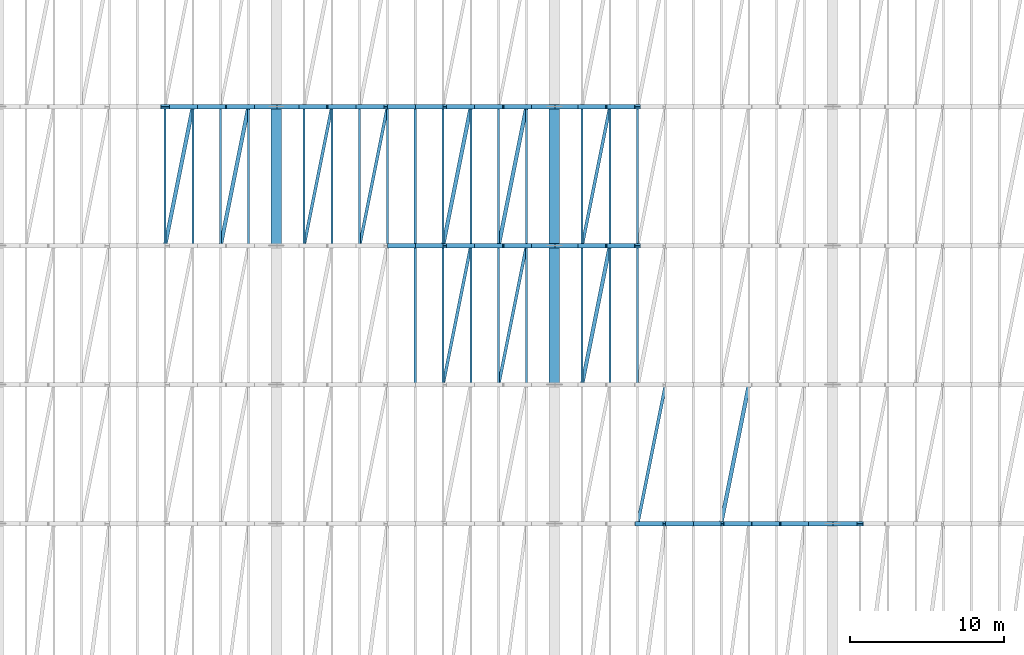
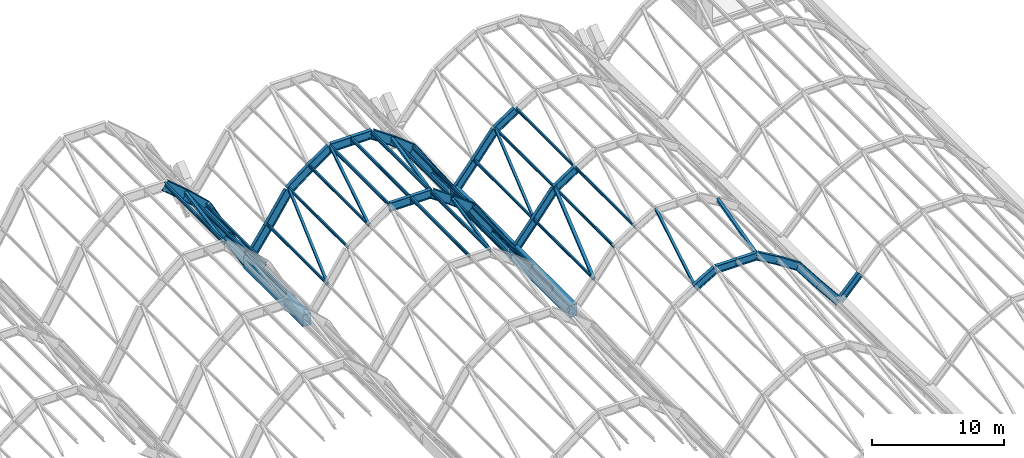
# One storey, part 24 of 86: 37 beams, 36 members.
"""IFC4 building model written with IfcOpenShell, lengths in metres."""

from ifc_helpers import new_model, si_unit, direction, frame, origin, origin_2d, place, context, subcontext, project, spatial, rectangle, i_section, extrude, material, material_profile, profile_set, type_object, element, save


model = new_model("IFC4")

# Units and contexts
model_context = context("Model", 3, precision=1e-05, world=origin(), true_north=direction((0.0, 1.0)))
body_context = subcontext(model_context, "Body", "Model", "MODEL_VIEW")
ifc_project = project(units=[si_unit("LENGTHUNIT", "METRE"), si_unit("AREAUNIT", "SQUARE_METRE"), si_unit("VOLUMEUNIT", "CUBIC_METRE"), si_unit("PLANEANGLEUNIT", "RADIAN"), si_unit("MASSUNIT", "GRAM", prefix="KILO")], contexts=[model_context])

# Site, building, storey
site_placement = place(None, origin())
site = spatial("IfcSite", under=ifc_project, at=site_placement, CompositionType="ELEMENT")
building_placement = place(site_placement, origin())
building = spatial("IfcBuilding", under=site, at=building_placement, Name="Chuanluo Vaults Station", CompositionType="ELEMENT")
storey_placement = place(building_placement, frame((0.0, 0.0, 14.39990234375)))
storey = spatial("IfcBuildingStorey", under=building, at=storey_placement, Name="L03", CompositionType="ELEMENT", Elevation=14.39990234375)

# Beams
ifc_material_1 = material(Name="Concrete C50", Category="concrete")
ifc_material_profile_1 = material_profile(ifc_material_1, rectangle(XDim=0.699951171875, YDim=1.10009765625, at=origin_2d()))
ifc_profile_set_1 = profile_set([ifc_material_profile_1], Name="Concrete C50")
beam_type_1 = type_object("IfcBeamType", Name="BM-VAL-RC", PredefinedType="USERDEFINED", material=ifc_profile_set_1)
for number, where, z_axis, x_axis, name in (
    (1, (72.0, 85.5, -0.7998046875), (0.0, 1.0, 0.0), (-1.0, 0.0, 0.0), "Vault springing valley beam X72-7"),
    (2, (90.0, 76.5, -0.7998046875), (0.0, 1.0, 0.0), (-1.0, 0.0, 0.0), "Vault springing valley beam X90-6"),
    (3, (90.0, 85.5, -0.7998046875), (0.0, 1.0, 0.0), (-1.0, 0.0, 0.0), "Vault springing valley beam X90-7"),
):
    element("IfcBeam", number, at=place(storey_placement, frame(where, z_axis=z_axis, x_axis=x_axis)), inside=storey, type_object=beam_type_1, Name=name, ObjectType="GIRDER", PredefinedType="USERDEFINED", context=body_context, shape_type="SweptSolid", body=[
        extrude(rectangle(XDim=0.699951171875, YDim=1.10009765625, at=origin_2d()), origin(), (0.0, 0.0, 1.0), 9.0),
    ])
ifc_material_2 = material(Name="Steel Q355C", Category="steel")
ifc_material_profile_2 = material_profile(ifc_material_2, i_section(OverallWidth=0.300048828125, OverallDepth=0.587890625, WebThickness=0.011962890625, FlangeThickness=0.02001953125, FilletRadius=0.02392578125, at=origin_2d()))
ifc_profile_set_2 = profile_set([ifc_material_profile_2], Name="Steel Q355C")
beam_type_2 = type_object("IfcBeamType", Name="BM-VLT-600", PredefinedType="USERDEFINED", material=ifc_profile_set_2)
beam_1_placement = place(storey_placement, frame((108.0, 67.5, -0.743896484375), z_axis=(0.684521510403, 0.0, 0.728992662374), x_axis=(0.0, 1.0, 0.0)))
element("IfcBeam", 4, at=beam_1_placement, inside=storey, type_object=beam_type_2, Name="Vault V7 arch rib 5 chord 1", ObjectType="GIRDER", PredefinedType="USERDEFINED", context=body_context, shape_type="SweptSolid", body=[
    extrude(i_section(OverallWidth=0.300048828125, OverallDepth=0.587890625, WebThickness=0.011962890625, FlangeThickness=0.02001953125, FilletRadius=0.02392578125, at=origin_2d()), origin(), (0.0, 0.0, 1.0), 2.629638671875),
])
ifc_material_3 = material(Name="Steel Q355C", Category="steel")
ifc_material_profile_3 = material_profile(ifc_material_3, i_section(OverallWidth=0.300048828125, OverallDepth=0.699951171875, WebThickness=0.012939453125, FlangeThickness=0.02392578125, FilletRadius=0.02392578125, at=origin_2d()))
ifc_profile_set_3 = profile_set([ifc_material_profile_3], Name="Steel Q355C")
beam_type_3 = type_object("IfcBeamType", Name="BM-VLT-700", PredefinedType="USERDEFINED", material=ifc_profile_set_3)
beam_2_placement = place(storey_placement, frame((95.39990234375, 67.5, 4.92626953125), z_axis=(0.863009490662, 0.0, 0.505187706727), x_axis=(0.0, 1.0, 0.0)))
element("IfcBeam", 5, at=beam_2_placement, inside=storey, type_object=beam_type_3, Name="Vault V6 arch rib 5 chord 4", ObjectType="GIRDER", PredefinedType="USERDEFINED", context=body_context, shape_type="SweptSolid", body=[
    extrude(i_section(OverallWidth=0.300048828125, OverallDepth=0.699951171875, WebThickness=0.012939453125, FlangeThickness=0.02392578125, FilletRadius=0.02392578125, at=origin_2d()), origin(), (0.0, 0.0, 1.0), 2.085693359375),
])
for number, where, z_axis, x_axis, name in (
    (6, (97.199951171875, 67.5, 5.97998046875), (1.0, 0.0, 0.0), (0.0, 1.0, 0.0), "Vault V6 arch rib 5 chord 5"),
    (7, (99.0, 67.5, 5.97998046875), (1.0, 0.0, 0.0), (0.0, 1.0, 0.0), "Vault V6 arch rib 5 chord 6"),
):
    element("IfcBeam", number, at=place(storey_placement, frame(where, z_axis=z_axis, x_axis=x_axis)), inside=storey, type_object=beam_type_3, Name=name, ObjectType="GIRDER", PredefinedType="USERDEFINED", context=body_context, shape_type="SweptSolid", body=[
        extrude(i_section(OverallWidth=0.300048828125, OverallDepth=0.699951171875, WebThickness=0.012939453125, FlangeThickness=0.02392578125, FilletRadius=0.02392578125, at=origin_2d()), origin(), (0.0, 0.0, 1.0), 1.800048828125),
    ])
beam_3_placement = place(storey_placement, frame((100.800048828125, 67.5, 5.97998046875), z_axis=(0.863009490662, 0.0, -0.505187706727), x_axis=(0.0, 1.0, 0.0)))
element("IfcBeam", 8, at=beam_3_placement, inside=storey, type_object=beam_type_3, Name="Vault V6 arch rib 5 chord 7", ObjectType="GIRDER", PredefinedType="USERDEFINED", context=body_context, shape_type="SweptSolid", body=[
    extrude(i_section(OverallWidth=0.300048828125, OverallDepth=0.699951171875, WebThickness=0.012939453125, FlangeThickness=0.02392578125, FilletRadius=0.02392578125, at=origin_2d()), origin(), (0.0, 0.0, 1.0), 2.085693359375),
])
beam_4_placement = place(storey_placement, frame((102.60009765625, 67.5, 4.92626953125), z_axis=(0.836145448105, 0.0, -0.54850778446), x_axis=(0.0, 1.0, 0.0)))
element("IfcBeam", 9, at=beam_4_placement, inside=storey, type_object=beam_type_3, Name="Vault V6 arch rib 5 chord 8", ObjectType="GIRDER", PredefinedType="USERDEFINED", context=body_context, shape_type="SweptSolid", body=[
    extrude(i_section(OverallWidth=0.300048828125, OverallDepth=0.699951171875, WebThickness=0.012939453125, FlangeThickness=0.02392578125, FilletRadius=0.02392578125, at=origin_2d()), origin(), (0.0, 0.0, 1.0), 2.152587890625),
])
beam_5_placement = place(storey_placement, frame((104.39990234375, 67.5, 3.74560546875), z_axis=(0.613681275736, 0.0, -0.789553856182), x_axis=(0.0, 1.0, 0.0)))
element("IfcBeam", 10, at=beam_5_placement, inside=storey, type_object=beam_type_3, Name="Vault V6 arch rib 5 chord 9", ObjectType="GIRDER", PredefinedType="USERDEFINED", context=body_context, shape_type="SweptSolid", body=[
    extrude(i_section(OverallWidth=0.300048828125, OverallDepth=0.699951171875, WebThickness=0.012939453125, FlangeThickness=0.02392578125, FilletRadius=0.02392578125, at=origin_2d()), origin(), (0.0, 0.0, 1.0), 2.93310546875),
])
for number, where, z_axis, x_axis, name in (
    (11, (106.199951171875, 67.5, 1.4296875), (0.628190338877, 0.0, -0.778059700885), (0.0, 1.0, 0.0), "Vault V6 arch rib 5 chord 10"),
    (12, (90.0, 85.5, -0.7998046875), (0.628190338877, 0.0, 0.778059700885), (0.0, 1.0, 0.0), "Vault V6 arch rib 7 chord 1"),
):
    element("IfcBeam", number, at=place(storey_placement, frame(where, z_axis=z_axis, x_axis=x_axis)), inside=storey, type_object=beam_type_3, Name=name, ObjectType="GIRDER", PredefinedType="USERDEFINED", context=body_context, shape_type="SweptSolid", body=[
        extrude(i_section(OverallWidth=0.300048828125, OverallDepth=0.699951171875, WebThickness=0.012939453125, FlangeThickness=0.02392578125, FilletRadius=0.02392578125, at=origin_2d()), origin(), (0.0, 0.0, 1.0), 2.865478515625),
    ])
beam_6_placement = place(storey_placement, frame((91.800048828125, 85.5, 1.4296875), z_axis=(0.613681275736, 0.0, 0.789553856182), x_axis=(0.0, 1.0, 0.0)))
element("IfcBeam", 13, at=beam_6_placement, inside=storey, type_object=beam_type_3, Name="Vault V6 arch rib 7 chord 2", ObjectType="GIRDER", PredefinedType="USERDEFINED", context=body_context, shape_type="SweptSolid", body=[
    extrude(i_section(OverallWidth=0.300048828125, OverallDepth=0.699951171875, WebThickness=0.012939453125, FlangeThickness=0.02392578125, FilletRadius=0.02392578125, at=origin_2d()), origin(), (0.0, 0.0, 1.0), 2.93310546875),
])
beam_7_placement = place(storey_placement, frame((93.60009765625, 85.5, 3.74560546875), z_axis=(0.836145448105, 0.0, 0.54850778446), x_axis=(0.0, 1.0, 0.0)))
element("IfcBeam", 14, at=beam_7_placement, inside=storey, type_object=beam_type_3, Name="Vault V6 arch rib 7 chord 3", ObjectType="GIRDER", PredefinedType="USERDEFINED", context=body_context, shape_type="SweptSolid", body=[
    extrude(i_section(OverallWidth=0.300048828125, OverallDepth=0.699951171875, WebThickness=0.012939453125, FlangeThickness=0.02392578125, FilletRadius=0.02392578125, at=origin_2d()), origin(), (0.0, 0.0, 1.0), 2.152587890625),
])
beam_8_placement = place(storey_placement, frame((90.0, 94.5, -0.7998046875), z_axis=(0.628190338877, 0.0, 0.778059700885), x_axis=(0.0, 1.0, 0.0)))
element("IfcBeam", 15, at=beam_8_placement, inside=storey, type_object=beam_type_3, Name="Vault V6 arch rib 8 chord 1", ObjectType="GIRDER", PredefinedType="USERDEFINED", context=body_context, shape_type="SweptSolid", body=[
    extrude(i_section(OverallWidth=0.300048828125, OverallDepth=0.699951171875, WebThickness=0.012939453125, FlangeThickness=0.02392578125, FilletRadius=0.02392578125, at=origin_2d()), origin(), (0.0, 0.0, 1.0), 2.865478515625),
])
beam_9_placement = place(storey_placement, frame((91.800048828125, 94.5, 1.4296875), z_axis=(0.613681275736, 0.0, 0.789553856182), x_axis=(0.0, 1.0, 0.0)))
element("IfcBeam", 16, at=beam_9_placement, inside=storey, type_object=beam_type_3, Name="Vault V6 arch rib 8 chord 2", ObjectType="GIRDER", PredefinedType="USERDEFINED", context=body_context, shape_type="SweptSolid", body=[
    extrude(i_section(OverallWidth=0.300048828125, OverallDepth=0.699951171875, WebThickness=0.012939453125, FlangeThickness=0.02392578125, FilletRadius=0.02392578125, at=origin_2d()), origin(), (0.0, 0.0, 1.0), 2.93310546875),
])
beam_10_placement = place(storey_placement, frame((93.60009765625, 94.5, 3.74560546875), z_axis=(0.836145448105, 0.0, 0.54850778446), x_axis=(0.0, 1.0, 0.0)))
element("IfcBeam", 17, at=beam_10_placement, inside=storey, type_object=beam_type_3, Name="Vault V6 arch rib 8 chord 3", ObjectType="GIRDER", PredefinedType="USERDEFINED", context=body_context, shape_type="SweptSolid", body=[
    extrude(i_section(OverallWidth=0.300048828125, OverallDepth=0.699951171875, WebThickness=0.012939453125, FlangeThickness=0.02392578125, FilletRadius=0.02392578125, at=origin_2d()), origin(), (0.0, 0.0, 1.0), 2.152587890625),
])
ifc_material_4 = material(Name="Steel Q355C", Category="steel")
ifc_material_profile_4 = material_profile(ifc_material_4, i_section(OverallWidth=0.300048828125, OverallDepth=0.800048828125, WebThickness=0.013916015625, FlangeThickness=0.02587890625, FilletRadius=0.02392578125, at=origin_2d()))
ifc_profile_set_4 = profile_set([ifc_material_profile_4], Name="Steel Q355C")
beam_type_4 = type_object("IfcBeamType", Name="BM-VLT-800", PredefinedType="USERDEFINED", material=ifc_profile_set_4)
for number, where, z_axis, x_axis, name in (
    (18, (79.199951171875, 85.5, 7.130126953125), (1.0, 0.0, 0.0), (0.0, 1.0, 0.0), "Vault V5 arch rib 7 chord 5"),
    (19, (81.0, 85.5, 7.130126953125), (1.0, 0.0, 0.0), (0.0, 1.0, 0.0), "Vault V5 arch rib 7 chord 6"),
):
    element("IfcBeam", number, at=place(storey_placement, frame(where, z_axis=z_axis, x_axis=x_axis)), inside=storey, type_object=beam_type_4, Name=name, ObjectType="GIRDER", PredefinedType="USERDEFINED", context=body_context, shape_type="SweptSolid", body=[
        extrude(i_section(OverallWidth=0.300048828125, OverallDepth=0.800048828125, WebThickness=0.013916015625, FlangeThickness=0.02587890625, FilletRadius=0.02392578125, at=origin_2d()), origin(), (0.0, 0.0, 1.0), 1.800048828125),
    ])
beam_11_placement = place(storey_placement, frame((82.800048828125, 85.5, 7.130126953125), z_axis=(0.820907471123, 0.0, -0.571061226012), x_axis=(0.0, 1.0, 0.0)))
element("IfcBeam", 20, at=beam_11_placement, inside=storey, type_object=beam_type_4, Name="Vault V5 arch rib 7 chord 7", ObjectType="GIRDER", PredefinedType="USERDEFINED", context=body_context, shape_type="SweptSolid", body=[
    extrude(i_section(OverallWidth=0.300048828125, OverallDepth=0.800048828125, WebThickness=0.013916015625, FlangeThickness=0.02587890625, FilletRadius=0.02392578125, at=origin_2d()), origin(), (0.0, 0.0, 1.0), 2.19287109375),
])
beam_12_placement = place(storey_placement, frame((84.60009765625, 85.5, 5.8779296875), z_axis=(0.790274889356, 0.0, -0.612752477965), x_axis=(0.0, 1.0, 0.0)))
element("IfcBeam", 21, at=beam_12_placement, inside=storey, type_object=beam_type_4, Name="Vault V5 arch rib 7 chord 8", ObjectType="GIRDER", PredefinedType="USERDEFINED", context=body_context, shape_type="SweptSolid", body=[
    extrude(i_section(OverallWidth=0.300048828125, OverallDepth=0.800048828125, WebThickness=0.013916015625, FlangeThickness=0.02587890625, FilletRadius=0.02392578125, at=origin_2d()), origin(), (0.0, 0.0, 1.0), 2.27734375),
])
beam_13_placement = place(storey_placement, frame((86.39990234375, 85.5, 4.482421875), z_axis=(0.550471867992, 0.0, -0.834853713263), x_axis=(0.0, 1.0, 0.0)))
element("IfcBeam", 22, at=beam_13_placement, inside=storey, type_object=beam_type_4, Name="Vault V5 arch rib 7 chord 9", ObjectType="GIRDER", PredefinedType="USERDEFINED", context=body_context, shape_type="SweptSolid", body=[
    extrude(i_section(OverallWidth=0.300048828125, OverallDepth=0.800048828125, WebThickness=0.013916015625, FlangeThickness=0.02587890625, FilletRadius=0.02392578125, at=origin_2d()), origin(), (0.0, 0.0, 1.0), 3.27001953125),
])
for number, where, z_axis, x_axis, name in (
    (23, (88.199951171875, 85.5, 1.75244140625), (0.568880934439, 0.0, -0.822419894234), (0.0, 1.0, 0.0), "Vault V5 arch rib 7 chord 10"),
    (24, (72.0, 94.5, -0.849853515625), (0.568880934439, 0.0, 0.822419894234), (0.0, 1.0, 0.0), "Vault V5 arch rib 8 chord 1"),
):
    element("IfcBeam", number, at=place(storey_placement, frame(where, z_axis=z_axis, x_axis=x_axis)), inside=storey, type_object=beam_type_4, Name=name, ObjectType="GIRDER", PredefinedType="USERDEFINED", context=body_context, shape_type="SweptSolid", body=[
        extrude(i_section(OverallWidth=0.300048828125, OverallDepth=0.800048828125, WebThickness=0.013916015625, FlangeThickness=0.02587890625, FilletRadius=0.02392578125, at=origin_2d()), origin(), (0.0, 0.0, 1.0), 3.164306640625),
    ])
beam_14_placement = place(storey_placement, frame((73.800048828125, 94.5, 1.75244140625), z_axis=(0.550471867992, 0.0, 0.834853713263), x_axis=(0.0, 1.0, 0.0)))
element("IfcBeam", 25, at=beam_14_placement, inside=storey, type_object=beam_type_4, Name="Vault V5 arch rib 8 chord 2", ObjectType="GIRDER", PredefinedType="USERDEFINED", context=body_context, shape_type="SweptSolid", body=[
    extrude(i_section(OverallWidth=0.300048828125, OverallDepth=0.800048828125, WebThickness=0.013916015625, FlangeThickness=0.02587890625, FilletRadius=0.02392578125, at=origin_2d()), origin(), (0.0, 0.0, 1.0), 3.27001953125),
])
beam_15_placement = place(storey_placement, frame((75.60009765625, 94.5, 4.482421875), z_axis=(0.790274889356, 0.0, 0.612752477965), x_axis=(0.0, 1.0, 0.0)))
element("IfcBeam", 26, at=beam_15_placement, inside=storey, type_object=beam_type_4, Name="Vault V5 arch rib 8 chord 3", ObjectType="GIRDER", PredefinedType="USERDEFINED", context=body_context, shape_type="SweptSolid", body=[
    extrude(i_section(OverallWidth=0.300048828125, OverallDepth=0.800048828125, WebThickness=0.013916015625, FlangeThickness=0.02587890625, FilletRadius=0.02392578125, at=origin_2d()), origin(), (0.0, 0.0, 1.0), 2.27734375),
])
beam_16_placement = place(storey_placement, frame((77.39990234375, 94.5, 5.8779296875), z_axis=(0.820907471123, 0.0, 0.571061226012), x_axis=(0.0, 1.0, 0.0)))
element("IfcBeam", 27, at=beam_16_placement, inside=storey, type_object=beam_type_4, Name="Vault V5 arch rib 8 chord 4", ObjectType="GIRDER", PredefinedType="USERDEFINED", context=body_context, shape_type="SweptSolid", body=[
    extrude(i_section(OverallWidth=0.300048828125, OverallDepth=0.800048828125, WebThickness=0.013916015625, FlangeThickness=0.02587890625, FilletRadius=0.02392578125, at=origin_2d()), origin(), (0.0, 0.0, 1.0), 2.19287109375),
])
for number, where, z_axis, x_axis, name in (
    (28, (79.199951171875, 94.5, 7.130126953125), (1.0, 0.0, 0.0), (0.0, 1.0, 0.0), "Vault V5 arch rib 8 chord 5"),
    (29, (81.0, 94.5, 7.130126953125), (1.0, 0.0, 0.0), (0.0, 1.0, 0.0), "Vault V5 arch rib 8 chord 6"),
):
    element("IfcBeam", number, at=place(storey_placement, frame(where, z_axis=z_axis, x_axis=x_axis)), inside=storey, type_object=beam_type_4, Name=name, ObjectType="GIRDER", PredefinedType="USERDEFINED", context=body_context, shape_type="SweptSolid", body=[
        extrude(i_section(OverallWidth=0.300048828125, OverallDepth=0.800048828125, WebThickness=0.013916015625, FlangeThickness=0.02587890625, FilletRadius=0.02392578125, at=origin_2d()), origin(), (0.0, 0.0, 1.0), 1.800048828125),
    ])
beam_17_placement = place(storey_placement, frame((82.800048828125, 94.5, 7.130126953125), z_axis=(0.820907471123, 0.0, -0.571061226012), x_axis=(0.0, 1.0, 0.0)))
element("IfcBeam", 30, at=beam_17_placement, inside=storey, type_object=beam_type_4, Name="Vault V5 arch rib 8 chord 7", ObjectType="GIRDER", PredefinedType="USERDEFINED", context=body_context, shape_type="SweptSolid", body=[
    extrude(i_section(OverallWidth=0.300048828125, OverallDepth=0.800048828125, WebThickness=0.013916015625, FlangeThickness=0.02587890625, FilletRadius=0.02392578125, at=origin_2d()), origin(), (0.0, 0.0, 1.0), 2.19287109375),
])
beam_18_placement = place(storey_placement, frame((84.60009765625, 94.5, 5.8779296875), z_axis=(0.790274889356, 0.0, -0.612752477965), x_axis=(0.0, 1.0, 0.0)))
element("IfcBeam", 31, at=beam_18_placement, inside=storey, type_object=beam_type_4, Name="Vault V5 arch rib 8 chord 8", ObjectType="GIRDER", PredefinedType="USERDEFINED", context=body_context, shape_type="SweptSolid", body=[
    extrude(i_section(OverallWidth=0.300048828125, OverallDepth=0.800048828125, WebThickness=0.013916015625, FlangeThickness=0.02587890625, FilletRadius=0.02392578125, at=origin_2d()), origin(), (0.0, 0.0, 1.0), 2.27734375),
])
beam_19_placement = place(storey_placement, frame((86.39990234375, 94.5, 4.482421875), z_axis=(0.550471867992, 0.0, -0.834853713263), x_axis=(0.0, 1.0, 0.0)))
element("IfcBeam", 32, at=beam_19_placement, inside=storey, type_object=beam_type_4, Name="Vault V5 arch rib 8 chord 9", ObjectType="GIRDER", PredefinedType="USERDEFINED", context=body_context, shape_type="SweptSolid", body=[
    extrude(i_section(OverallWidth=0.300048828125, OverallDepth=0.800048828125, WebThickness=0.013916015625, FlangeThickness=0.02587890625, FilletRadius=0.02392578125, at=origin_2d()), origin(), (0.0, 0.0, 1.0), 3.27001953125),
])
beam_20_placement = place(storey_placement, frame((88.199951171875, 94.5, 1.75244140625), z_axis=(0.568880934439, 0.0, -0.822419894234), x_axis=(0.0, 1.0, 0.0)))
element("IfcBeam", 33, at=beam_20_placement, inside=storey, type_object=beam_type_4, Name="Vault V5 arch rib 8 chord 10", ObjectType="GIRDER", PredefinedType="USERDEFINED", context=body_context, shape_type="SweptSolid", body=[
    extrude(i_section(OverallWidth=0.300048828125, OverallDepth=0.800048828125, WebThickness=0.013916015625, FlangeThickness=0.02587890625, FilletRadius=0.02392578125, at=origin_2d()), origin(), (0.0, 0.0, 1.0), 3.164306640625),
])
ifc_material_5 = material(Name="Steel Q355C", Category="steel")
ifc_material_profile_5 = material_profile(ifc_material_5, i_section(OverallWidth=0.300048828125, OverallDepth=0.89990234375, WebThickness=0.01611328125, FlangeThickness=0.028076171875, FilletRadius=0.02392578125, at=origin_2d()))
ifc_profile_set_5 = profile_set([ifc_material_profile_5], Name="Steel Q355C")
beam_type_5 = type_object("IfcBeamType", Name="BM-VLT-900", PredefinedType="USERDEFINED", material=ifc_profile_set_5)
beam_21_placement = place(storey_placement, frame((64.800048828125, 94.5, 8.68017578125), z_axis=(0.76434097912, 0.0, -0.644812273176), x_axis=(0.0, 1.0, 0.0)))
element("IfcBeam", 34, at=beam_21_placement, inside=storey, type_object=beam_type_5, Name="Vault V4 arch rib 8 chord 7", ObjectType="GIRDER", PredefinedType="USERDEFINED", context=body_context, shape_type="SweptSolid", body=[
    extrude(i_section(OverallWidth=0.300048828125, OverallDepth=0.89990234375, WebThickness=0.01611328125, FlangeThickness=0.028076171875, FilletRadius=0.02392578125, at=origin_2d()), origin(), (0.0, 0.0, 1.0), 2.35498046875),
])
beam_22_placement = place(storey_placement, frame((66.60009765625, 94.5, 7.16162109375), z_axis=(0.730389392317, 0.0, -0.683030991676), x_axis=(0.0, 1.0, 0.0)))
element("IfcBeam", 35, at=beam_22_placement, inside=storey, type_object=beam_type_5, Name="Vault V4 arch rib 8 chord 8", ObjectType="GIRDER", PredefinedType="USERDEFINED", context=body_context, shape_type="SweptSolid", body=[
    extrude(i_section(OverallWidth=0.300048828125, OverallDepth=0.89990234375, WebThickness=0.01611328125, FlangeThickness=0.028076171875, FilletRadius=0.02392578125, at=origin_2d()), origin(), (0.0, 0.0, 1.0), 2.464111328125),
])
beam_23_placement = place(storey_placement, frame((68.39990234375, 94.5, 5.478515625), z_axis=(0.480856872349, 0.0, -0.876799103738), x_axis=(0.0, 1.0, 0.0)))
element("IfcBeam", 36, at=beam_23_placement, inside=storey, type_object=beam_type_5, Name="Vault V4 arch rib 8 chord 9", ObjectType="GIRDER", PredefinedType="USERDEFINED", context=body_context, shape_type="SweptSolid", body=[
    extrude(i_section(OverallWidth=0.300048828125, OverallDepth=0.89990234375, WebThickness=0.01611328125, FlangeThickness=0.028076171875, FilletRadius=0.02392578125, at=origin_2d()), origin(), (0.0, 0.0, 1.0), 3.743408203125),
])
beam_24_placement = place(storey_placement, frame((70.199951171875, 94.5, 2.1962890625), z_axis=(0.502607424266, 0.0, -0.864514763941), x_axis=(0.0, 1.0, 0.0)))
element("IfcBeam", 37, at=beam_24_placement, inside=storey, type_object=beam_type_5, Name="Vault V4 arch rib 8 chord 10", ObjectType="GIRDER", PredefinedType="USERDEFINED", context=body_context, shape_type="SweptSolid", body=[
    extrude(i_section(OverallWidth=0.300048828125, OverallDepth=0.89990234375, WebThickness=0.01611328125, FlangeThickness=0.028076171875, FilletRadius=0.02392578125, at=origin_2d()), origin(), (0.0, 0.0, 1.0), 3.58154296875),
])

# Members
ifc_material_6 = material(Name="Steel Q355C", Category="steel")
ifc_material_profile_6 = material_profile(ifc_material_6, i_section(OverallWidth=0.125, OverallDepth=0.25, WebThickness=0.006103515625, FlangeThickness=0.009033203125, FilletRadius=0.011962890625, at=origin_2d()))
ifc_profile_set_6 = profile_set([ifc_material_profile_6], Name="Steel Q355C")
member_type_1 = type_object("IfcMemberType", Name="MEM-PUR-250", PredefinedType="PURLIN", material=ifc_profile_set_6)
for number, where, z_axis, x_axis, name in (
    (38, (66.60009765625, 85.5, 7.38720703125), (0.0, 1.0, 0.0), (-1.0, 0.0, 0.0), "Vault V4 purlin 7.7"),
    (39, (68.39990234375, 85.5, 5.642578125), (0.0, 1.0, 0.0), (-1.0, 0.0, 0.0), "Vault V4 purlin 7.8"),
    (40, (70.199951171875, 85.5, 2.3427734375), (0.0, 1.0, 0.0), (-1.0, 0.0, 0.0), "Vault V4 purlin 7.9"),
    (41, (84.60009765625, 76.5, 6.062744140625), (0.0, 1.0, 0.0), (-1.0, 0.0, 0.0), "Vault V5 purlin 6.7"),
    (42, (86.39990234375, 76.5, 4.619384765625), (0.0, 1.0, 0.0), (-1.0, 0.0, 0.0), "Vault V5 purlin 6.8"),
    (43, (88.199951171875, 76.5, 1.86962890625), (0.0, 1.0, 0.0), (-1.0, 0.0, 0.0), "Vault V5 purlin 6.9"),
    (44, (73.800048828125, 85.5, 1.86962890625), (0.0, 1.0, 0.0), (-1.0, 0.0, 0.0), "Vault V5 purlin 7.1"),
    (45, (75.60009765625, 85.5, 4.619384765625), (0.0, 1.0, 0.0), (-1.0, 0.0, 0.0), "Vault V5 purlin 7.2"),
    (46, (77.39990234375, 85.5, 6.062744140625), (0.0, 1.0, 0.0), (-1.0, 0.0, 0.0), "Vault V5 purlin 7.3"),
    (47, (84.60009765625, 85.5, 6.062744140625), (0.0, 1.0, 0.0), (-1.0, 0.0, 0.0), "Vault V5 purlin 7.7"),
    (48, (86.39990234375, 85.5, 4.619384765625), (0.0, 1.0, 0.0), (-1.0, 0.0, 0.0), "Vault V5 purlin 7.8"),
    (49, (88.199951171875, 85.5, 1.86962890625), (0.0, 1.0, 0.0), (-1.0, 0.0, 0.0), "Vault V5 purlin 7.9"),
    (50, (91.800048828125, 76.5, 1.5126953125), (0.0, 1.0, 0.0), (-1.0, 0.0, 0.0), "Vault V6 purlin 6.1"),
    (51, (93.60009765625, 76.5, 3.849853515625), (0.0, 1.0, 0.0), (-1.0, 0.0, 0.0), "Vault V6 purlin 6.2"),
    (52, (95.39990234375, 76.5, 5.068115234375), (0.0, 1.0, 0.0), (-1.0, 0.0, 0.0), "Vault V6 purlin 6.3"),
    (53, (91.800048828125, 85.5, 1.5126953125), (0.0, 1.0, 0.0), (-1.0, 0.0, 0.0), "Vault V6 purlin 7.1"),
    (54, (93.60009765625, 85.5, 3.849853515625), (0.0, 1.0, 0.0), (-1.0, 0.0, 0.0), "Vault V6 purlin 7.2"),
    (55, (95.39990234375, 85.5, 5.068115234375), (0.0, 1.0, 0.0), (-1.0, 0.0, 0.0), "Vault V6 purlin 7.3"),
):
    element("IfcMember", number, at=place(storey_placement, frame(where, z_axis=z_axis, x_axis=x_axis)), inside=storey, type_object=member_type_1, Name=name, PredefinedType="PURLIN", context=body_context, shape_type="SweptSolid", body=[
        extrude(i_section(OverallWidth=0.125, OverallDepth=0.25, WebThickness=0.006103515625, FlangeThickness=0.009033203125, FilletRadius=0.011962890625, at=origin_2d()), origin(), (0.0, 0.0, 1.0), 9.0),
    ])
ifc_material_7 = material(Name="Steel Q355C", Category="steel")
ifc_material_profile_7 = material_profile(ifc_material_7, i_section(OverallWidth=0.14990234375, OverallDepth=0.300048828125, WebThickness=0.006591796875, FlangeThickness=0.009033203125, FilletRadius=0.012939453125, at=origin_2d()))
ifc_profile_set_7 = profile_set([ifc_material_profile_7], Name="Steel Q355C")
member_type_2 = type_object("IfcMemberType", Name="MEM-PUR-300", PredefinedType="PURLIN", material=ifc_profile_set_7)
for number, where, z_axis, x_axis, name in (
    (56, (64.800048828125, 85.5, 8.834228515625), (0.0, 1.0, 0.0), (-1.0, 0.0, 0.0), "Vault V4 purlin 7.6"),
    (57, (81.0, 76.5, 7.3720703125), (0.0, 1.0, 0.0), (-1.0, 0.0, 0.0), "Vault V5 purlin 6.5"),
    (58, (82.800048828125, 76.5, 7.264404296875), (0.0, 1.0, 0.0), (-1.0, 0.0, 0.0), "Vault V5 purlin 6.6"),
    (59, (79.199951171875, 85.5, 7.264404296875), (0.0, 1.0, 0.0), (-1.0, 0.0, 0.0), "Vault V5 purlin 7.4"),
    (60, (81.0, 85.5, 7.3720703125), (0.0, 1.0, 0.0), (-1.0, 0.0, 0.0), "Vault V5 purlin 7.5"),
    (61, (82.800048828125, 85.5, 7.264404296875), (0.0, 1.0, 0.0), (-1.0, 0.0, 0.0), "Vault V5 purlin 7.6"),
):
    element("IfcMember", number, at=place(storey_placement, frame(where, z_axis=z_axis, x_axis=x_axis)), inside=storey, type_object=member_type_2, Name=name, PredefinedType="PURLIN", context=body_context, shape_type="SweptSolid", body=[
        extrude(i_section(OverallWidth=0.14990234375, OverallDepth=0.300048828125, WebThickness=0.006591796875, FlangeThickness=0.009033203125, FilletRadius=0.012939453125, at=origin_2d()), origin(), (0.0, 0.0, 1.0), 9.0),
    ])
ifc_material_8 = material(Name="Steel Q355C", Category="steel")
ifc_material_profile_8 = material_profile(ifc_material_8, i_section(OverallWidth=0.199951171875, OverallDepth=0.199951171875, WebThickness=0.008056640625, FlangeThickness=0.011962890625, FilletRadius=0.012939453125, at=origin_2d()))
ifc_profile_set_8 = profile_set([ifc_material_profile_8], Name="Steel Q355C")
member_type_3 = type_object("IfcMemberType", Name="MEM-VBR-200", PredefinedType="BRACE", material=ifc_profile_set_8)
member_1_placement = place(storey_placement, frame((82.800048828125, 76.5, 7.264404296875), z_axis=(0.194461668086, 0.972281965593, -0.129816944299), x_axis=(-0.980579652604, 0.196121250506, 0.0)))
element("IfcMember", 62, at=member_1_placement, inside=storey, type_object=member_type_3, Name="Vault V5 space-frame diagonal 6.6", PredefinedType="BRACE", context=body_context, shape_type="SweptSolid", body=[
    extrude(i_section(OverallWidth=0.199951171875, OverallDepth=0.199951171875, WebThickness=0.008056640625, FlangeThickness=0.011962890625, FilletRadius=0.012939453125, at=origin_2d()), origin(), (0.0, 0.0, 1.0), 9.256591796875),
])
for number, where, z_axis, x_axis, name in (
    (63, (86.39990234375, 76.5, 4.619384765625), (0.187871019476, 0.939329616435, -0.286991901853), (-0.980579652604, 0.196121250506, 0.0), "Vault V5 space-frame diagonal 6.8"),
    (64, (73.800048828125, 85.5, 1.86962890625), (0.187871019476, 0.939329616435, 0.286991901853), (-0.980579652604, 0.196121250506, 0.0), "Vault V5 space-frame diagonal 7.1"),
):
    element("IfcMember", number, at=place(storey_placement, frame(where, z_axis=z_axis, x_axis=x_axis)), inside=storey, type_object=member_type_3, Name=name, PredefinedType="BRACE", context=body_context, shape_type="SweptSolid", body=[
        extrude(i_section(OverallWidth=0.199951171875, OverallDepth=0.199951171875, WebThickness=0.008056640625, FlangeThickness=0.011962890625, FilletRadius=0.012939453125, at=origin_2d()), origin(), (0.0, 0.0, 1.0), 9.581298828125),
    ])
member_2_placement = place(storey_placement, frame((77.39990234375, 85.5, 6.062744140625), z_axis=(0.194461668086, 0.972281965593, 0.129816944299), x_axis=(-0.980579652604, 0.196121250506, 0.0)))
element("IfcMember", 65, at=member_2_placement, inside=storey, type_object=member_type_3, Name="Vault V5 space-frame diagonal 7.3", PredefinedType="BRACE", context=body_context, shape_type="SweptSolid", body=[
    extrude(i_section(OverallWidth=0.199951171875, OverallDepth=0.199951171875, WebThickness=0.008056640625, FlangeThickness=0.011962890625, FilletRadius=0.012939453125, at=origin_2d()), origin(), (0.0, 0.0, 1.0), 9.256591796875),
])
member_3_placement = place(storey_placement, frame((95.39990234375, 67.5, 5.068115234375), z_axis=(0.194926906054, 0.974608092333, 0.110193319467), x_axis=(-0.980579652604, 0.196121250506, 0.0)))
element("IfcMember", 66, at=member_3_placement, inside=storey, type_object=member_type_3, Name="Vault V6 space-frame diagonal 5.3", PredefinedType="BRACE", context=body_context, shape_type="SweptSolid", body=[
    extrude(i_section(OverallWidth=0.199951171875, OverallDepth=0.199951171875, WebThickness=0.008056640625, FlangeThickness=0.011962890625, FilletRadius=0.012939453125, at=origin_2d()), origin(), (0.0, 0.0, 1.0), 9.234375),
])
member_4_placement = place(storey_placement, frame((91.800048828125, 85.5, 1.5126953125), z_axis=(0.19005620389, 0.950255242126, 0.246766314911), x_axis=(-0.980579652604, 0.196121250506, 0.0)))
element("IfcMember", 67, at=member_4_placement, inside=storey, type_object=member_type_3, Name="Vault V6 space-frame diagonal 7.1", PredefinedType="BRACE", context=body_context, shape_type="SweptSolid", body=[
    extrude(i_section(OverallWidth=0.199951171875, OverallDepth=0.199951171875, WebThickness=0.008056640625, FlangeThickness=0.011962890625, FilletRadius=0.012939453125, at=origin_2d()), origin(), (0.0, 0.0, 1.0), 9.47119140625),
])
ifc_material_9 = material(Name="Steel Q355C", Category="steel")
ifc_material_profile_9 = material_profile(ifc_material_9, i_section(OverallWidth=0.25, OverallDepth=0.25, WebThickness=0.009033203125, FlangeThickness=0.013916015625, FilletRadius=0.01611328125, at=origin_2d()))
ifc_profile_set_9 = profile_set([ifc_material_profile_9], Name="Steel Q355C")
member_type_4 = type_object("IfcMemberType", Name="MEM-VBR-250", PredefinedType="BRACE", material=ifc_profile_set_9)
member_5_placement = place(storey_placement, frame((64.800048828125, 85.5, 8.834228515625), z_axis=(0.193728375326, 0.968615601248, -0.155734176123), x_axis=(-0.980579652604, 0.196121250506, 0.0)))
element("IfcMember", 68, at=member_5_placement, inside=storey, type_object=member_type_4, Name="Vault V4 space-frame diagonal 7.6", PredefinedType="BRACE", context=body_context, shape_type="SweptSolid", body=[
    extrude(i_section(OverallWidth=0.25, OverallDepth=0.25, WebThickness=0.009033203125, FlangeThickness=0.013916015625, FilletRadius=0.01611328125, at=origin_2d()), origin(), (0.0, 0.0, 1.0), 9.29150390625),
])
member_6_placement = place(storey_placement, frame((68.39990234375, 85.5, 5.642578125), z_axis=(0.184555961681, 0.922754777078, -0.338323393202), x_axis=(-0.980579652604, 0.196121250506, 0.0)))
element("IfcMember", 69, at=member_6_placement, inside=storey, type_object=member_type_4, Name="Vault V4 space-frame diagonal 7.8", PredefinedType="BRACE", context=body_context, shape_type="SweptSolid", body=[
    extrude(i_section(OverallWidth=0.25, OverallDepth=0.25, WebThickness=0.009033203125, FlangeThickness=0.013916015625, FilletRadius=0.01611328125, at=origin_2d()), origin(), (0.0, 0.0, 1.0), 9.75341796875),
])
member_7_placement = place(storey_placement, frame((82.800048828125, 85.5, 7.264404296875), z_axis=(0.194461668086, 0.972281965593, -0.129816944299), x_axis=(-0.980579652604, 0.196121250506, 0.0)))
element("IfcMember", 70, at=member_7_placement, inside=storey, type_object=member_type_4, Name="Vault V5 space-frame diagonal 7.6", PredefinedType="BRACE", context=body_context, shape_type="SweptSolid", body=[
    extrude(i_section(OverallWidth=0.25, OverallDepth=0.25, WebThickness=0.009033203125, FlangeThickness=0.013916015625, FilletRadius=0.01611328125, at=origin_2d()), origin(), (0.0, 0.0, 1.0), 9.256591796875),
])
member_8_placement = place(storey_placement, frame((86.39990234375, 85.5, 4.619384765625), z_axis=(0.187871019476, 0.939329616435, -0.286991901853), x_axis=(-0.980579652604, 0.196121250506, 0.0)))
element("IfcMember", 71, at=member_8_placement, inside=storey, type_object=member_type_4, Name="Vault V5 space-frame diagonal 7.8", PredefinedType="BRACE", context=body_context, shape_type="SweptSolid", body=[
    extrude(i_section(OverallWidth=0.25, OverallDepth=0.25, WebThickness=0.009033203125, FlangeThickness=0.013916015625, FilletRadius=0.01611328125, at=origin_2d()), origin(), (0.0, 0.0, 1.0), 9.581298828125),
])
member_9_placement = place(storey_placement, frame((100.800048828125, 67.5, 6.085693359375), z_axis=(0.194926906054, 0.974608092333, -0.110193319467), x_axis=(-0.980579652604, 0.196121250506, 0.0)))
element("IfcMember", 72, at=member_9_placement, inside=storey, type_object=member_type_4, Name="Vault V6 space-frame diagonal 5.6", PredefinedType="BRACE", context=body_context, shape_type="SweptSolid", body=[
    extrude(i_section(OverallWidth=0.25, OverallDepth=0.25, WebThickness=0.009033203125, FlangeThickness=0.013916015625, FilletRadius=0.01611328125, at=origin_2d()), origin(), (0.0, 0.0, 1.0), 9.234375),
])
member_10_placement = place(storey_placement, frame((91.800048828125, 76.5, 1.5126953125), z_axis=(0.19005620389, 0.950255242126, 0.246766314911), x_axis=(-0.980579652604, 0.196121250506, 0.0)))
element("IfcMember", 73, at=member_10_placement, inside=storey, type_object=member_type_4, Name="Vault V6 space-frame diagonal 6.1", PredefinedType="BRACE", context=body_context, shape_type="SweptSolid", body=[
    extrude(i_section(OverallWidth=0.25, OverallDepth=0.25, WebThickness=0.009033203125, FlangeThickness=0.013916015625, FilletRadius=0.01611328125, at=origin_2d()), origin(), (0.0, 0.0, 1.0), 9.47119140625),
])

save(model, "model.ifc")
